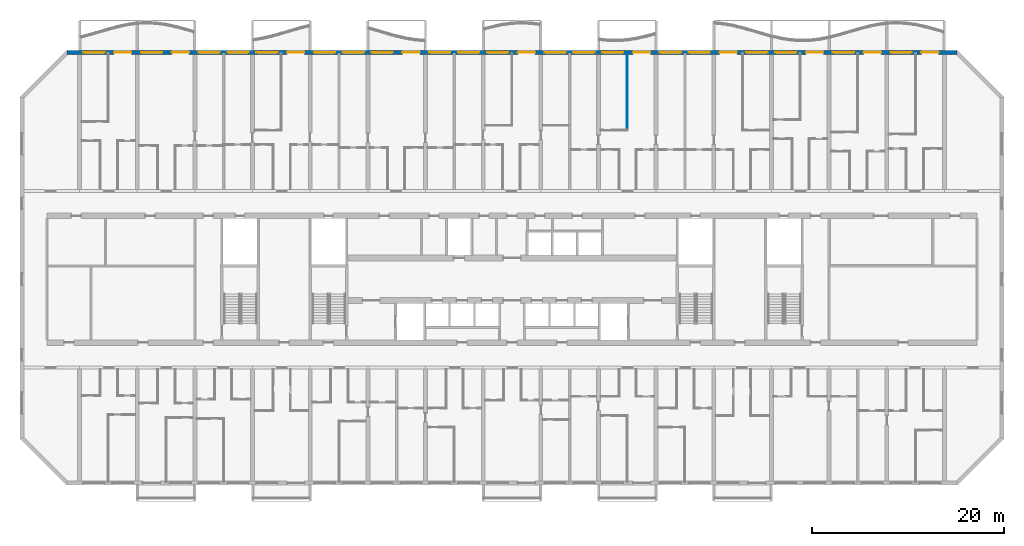
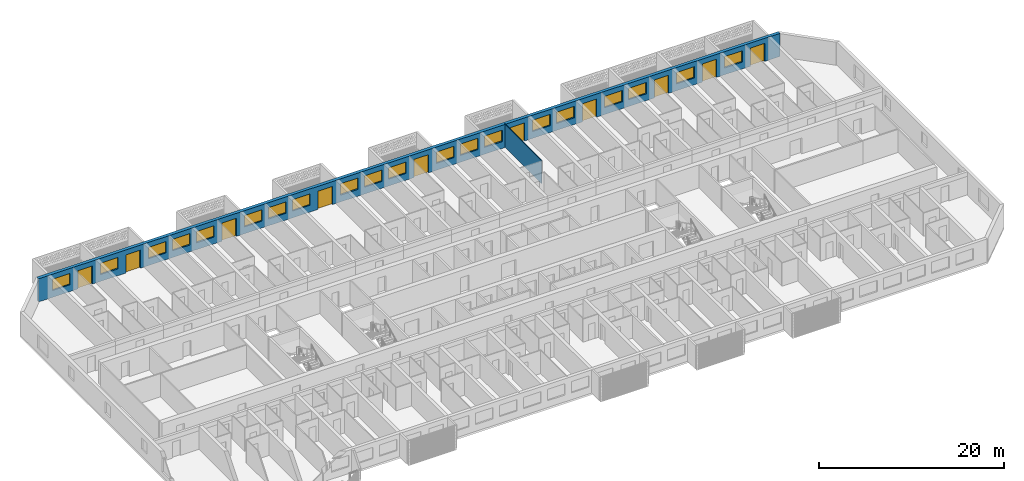
# One storey, part 13 of 40: 20 windows, 10 doors, 2 walls, 30 openings.
"""IFC4 building model written with IfcOpenShell, lengths in metres."""

import ifcopenshell
import ifcopenshell.guid

model = None  # the IFC model being written
_history = None  # IfcOwnerHistory: only IFC2X3 demands one
_inside = {}  # id of a spatial element -> (the spatial element, [elements in it])
_under = {}  # id of a project, library or spatial element -> (it, [spatial elements below it])
_declared = {}  # id of a project -> (the project, [libraries it declares])
_typed = {}  # id of a type object -> (the type object, [elements of that type])
_made_of = {}  # id of a material, layer set ... -> (it, [elements and type objects made of it])


def new_model(schema):
    """Start an empty IFC model of exactly this schema.

    Asked for "IFC4X3", IfcOpenShell would pick the latest addendum, in which some entities
    have other attributes; the version numbers below select the first issue.
    IFC2X3 requires an IfcOwnerHistory on every rooted entity: one is made here for all.
    """
    global model, _history
    if schema == "IFC4X3":
        model = ifcopenshell.file(schema_version=(4, 3, 0, 0))
    else:
        model = ifcopenshell.file(schema=schema)
    _inside.clear()
    _under.clear()
    _declared.clear()
    _typed.clear()
    _made_of.clear()
    _history = None
    if model.schema == "IFC2X3":
        org = make("IfcOrganization", Name="unknown")
        user = make(
            "IfcPersonAndOrganization",
            ThePerson=make("IfcPerson", FamilyName="unknown"),
            TheOrganization=org,
        )
        app = make(
            "IfcApplication",
            ApplicationDeveloper=org,
            Version="unknown",
            ApplicationFullName="unknown",
            ApplicationIdentifier="unknown",
        )
        _history = make(
            "IfcOwnerHistory",
            OwningUser=user,
            OwningApplication=app,
            ChangeAction="ADDED",
            CreationDate=0,
        )
    return model


def make(cls, **values):
    """One entity of the class cls with the attributes given. An attribute that is None is left unset."""
    return model.create_entity(
        cls, **{name: value for name, value in values.items() if value is not None}
    )


def rooted(cls, **values):
    """An entity with a GlobalId (a new one), such as an element, a storey or a relation."""
    return make(cls, GlobalId=ifcopenshell.guid.new(), OwnerHistory=_history, **values)


def si_unit(unit_type, name, prefix=None):
    """IfcSIUnit, for example si_unit("LENGTHUNIT", "METRE", prefix="MILLI")."""
    return make("IfcSIUnit", UnitType=unit_type, Prefix=prefix, Name=name)


def assignment(units):
    """IfcUnitAssignment: the units of a project."""
    return None if units is None else make("IfcUnitAssignment", Units=units)


def point(xyz):
    """IfcCartesianPoint."""
    return None if xyz is None else make("IfcCartesianPoint", Coordinates=xyz)


def direction(xyz):
    """IfcDirection."""
    return None if xyz is None else make("IfcDirection", DirectionRatios=xyz)


def frame(location, z_axis=None, x_axis=None):
    """IfcAxis2Placement3D, a coordinate frame: its origin and axes. An axis left out is left unset."""
    return make(
        "IfcAxis2Placement3D",
        Location=point(location),
        Axis=direction(z_axis),
        RefDirection=direction(x_axis),
    )


def frame_2d(location, x_axis=None):
    """IfcAxis2Placement2D, a coordinate frame in the plane: its origin and x axis."""
    return make(
        "IfcAxis2Placement2D", Location=point(location), RefDirection=direction(x_axis)
    )


def origin():
    """The frame at (0, 0, 0) with its axes left unset."""
    return frame((0.0, 0.0, 0.0))


def place(relative_to, where):
    """IfcLocalPlacement: puts the frame where relative to a parent placement (None: the world)."""
    return make(
        "IfcLocalPlacement", PlacementRelTo=relative_to, RelativePlacement=where
    )


def context(
    kind, dimensions, precision=None, world=None, true_north=None, identifier=None
):
    """IfcGeometricRepresentationContext, for example the 3D "Model" context."""
    return make(
        "IfcGeometricRepresentationContext",
        ContextIdentifier=identifier,
        ContextType=kind,
        CoordinateSpaceDimension=dimensions,
        Precision=precision,
        WorldCoordinateSystem=world,
        TrueNorth=true_north,
    )


def subcontext(parent, identifier, kind, view, scale=None):
    """IfcGeometricRepresentationSubContext, for example "Body" below "Model"."""
    return make(
        "IfcGeometricRepresentationSubContext",
        ContextIdentifier=identifier,
        ContextType=kind,
        ParentContext=parent,
        TargetScale=scale,
        TargetView=view,
    )


def project(units=None, contexts=None):
    """IfcProject with its units and contexts."""
    return rooted(
        "IfcProject",
        Name="project",
        RepresentationContexts=contexts,
        UnitsInContext=assignment(units),
    )


def spatial(cls, under=None, at=None, **own):
    """A site, building, storey or space (cls), placed at a placement, below another one or the project."""
    s = rooted(cls, ObjectPlacement=at, **own)
    if under is not None:
        _under.setdefault(under.id(), (under, []))[1].append(s)
    return s


def profile(cls, at=None, kind="AREA", **sizes):
    """A parametric profile (cls). Its sizes go by their IFC names, for example OverallWidth=200.0."""
    return make(cls, ProfileType=kind, Position=at, **sizes)


def rectangle(**sizes):
    """IfcRectangleProfileDef."""
    return profile("IfcRectangleProfileDef", **sizes)


def extrude(swept, where, along, depth):
    """IfcExtrudedAreaSolid: the profile swept, set in the frame where, extruded along a direction by depth."""
    return make(
        "IfcExtrudedAreaSolid",
        SweptArea=swept,
        Position=where,
        ExtrudedDirection=direction(along),
        Depth=depth,
    )


def shape(context_of_items, identifier, shape_type, items):
    """IfcShapeRepresentation: the items that make up one representation, for example the "Body"."""
    return make(
        "IfcShapeRepresentation",
        ContextOfItems=context_of_items,
        RepresentationIdentifier=identifier,
        RepresentationType=shape_type,
        Items=items,
    )


def material(Name=None, Category=None):
    """IfcMaterial."""
    return make("IfcMaterial", Name=Name, Category=Category)


def layer(
    of_material, thickness, ventilated=None, Name=None, Category=None, Priority=None
):
    """IfcMaterialLayer: one layer of a wall or slab, of a material (None: an air gap)."""
    return make(
        "IfcMaterialLayer",
        Material=of_material,
        LayerThickness=thickness,
        IsVentilated=ventilated,
        Name=Name,
        Category=Category,
        Priority=Priority,
    )


def layer_set(layers, Name=None):
    """IfcMaterialLayerSet."""
    return make("IfcMaterialLayerSet", MaterialLayers=layers, LayerSetName=Name)


def made_of(thing, what):
    """Note that an element or type object is made of a material, layer set ...; save() writes the relation."""
    if what is not None:
        _made_of.setdefault(what.id(), (what, []))[1].append(thing)
    return thing


def type_object(cls, material=None, **own):
    """A type object (cls), such as IfcWallType, which elements share."""
    return made_of(rooted(cls, **own), material)


def element(
    cls,
    number,
    at=None,
    inside=None,
    cuts=None,
    type_object=None,
    material=None,
    context=None,
    identifier="Body",
    shape_type=None,
    held_by="IfcProductDefinitionShape",
    body=None,
    shapes=None,
    **own,
):
    """One element of the class cls, such as IfcWall. Its Tag is "e" and its number.

    at: its placement. inside: the storey or other place that contains it. cuts: it is an
    opening in that element (IfcRelVoidsElement). A single representation is given by context,
    identifier, shape_type and body (its items); several are given by shapes. held_by: the class
    of the entity that holds the representations. save() writes the other relations.
    """
    e = rooted(cls, Tag="e%d" % number, ObjectPlacement=at, **own)
    if body is not None:
        shapes = [shape(context, identifier, shape_type, body)]
    if shapes is not None:
        e.Representation = make(held_by, Representations=shapes)
    if inside is not None:
        _inside.setdefault(inside.id(), (inside, []))[1].append(e)
    if cuts is not None:
        rooted(
            "IfcRelVoidsElement", RelatingBuildingElement=cuts, RelatedOpeningElement=e
        )
    if type_object is not None:
        _typed.setdefault(type_object.id(), (type_object, []))[1].append(e)
    return made_of(e, material)


def fill(opening, filler):
    """IfcRelFillsElement: the door or window that sits in an opening."""
    return rooted(
        "IfcRelFillsElement",
        RelatingOpeningElement=opening,
        RelatedBuildingElement=filler,
    )


def aggregate(whole, parts):
    """IfcRelAggregates: a whole, such as a stair, and the parts it consists of."""
    return rooted("IfcRelAggregates", RelatingObject=whole, RelatedObjects=parts)


def save(model, path):
    """Write the relations noted so far, then the file.

    IfcRelAggregates (storeys below a building ...), IfcRelContainedInSpatialStructure (elements
    in a storey), IfcRelDefinesByType, IfcRelAssociatesMaterial and IfcRelDeclares: one each for
    every whole, place, type object, material and project.
    """
    for whole, parts in _under.values():
        aggregate(whole, parts)
    for where, things in _inside.values():
        rooted(
            "IfcRelContainedInSpatialStructure",
            RelatedElements=things,
            RelatingStructure=where,
        )
    for kind, things in _typed.values():
        rooted("IfcRelDefinesByType", RelatedObjects=things, RelatingType=kind)
    for what, things in _made_of.values():
        rooted("IfcRelAssociatesMaterial", RelatedObjects=things, RelatingMaterial=what)
    for by, libraries in _declared.values():
        rooted("IfcRelDeclares", RelatingContext=by, RelatedDefinitions=libraries)
    model.write(path)


model = new_model("IFC4")

# Units and contexts
model_context = context("Model", 3, precision=1e-05, world=origin(), true_north=direction((0.0, 1.0)))
body_context = subcontext(model_context, "Body", "Model", "MODEL_VIEW")
ifc_project = project(units=[si_unit("LENGTHUNIT", "METRE"), si_unit("AREAUNIT", "SQUARE_METRE"), si_unit("VOLUMEUNIT", "CUBIC_METRE"), si_unit("PLANEANGLEUNIT", "RADIAN"), si_unit("MASSUNIT", "GRAM", prefix="KILO")], contexts=[model_context])

# Site, building, storey
site_placement = place(None, origin())
site = spatial("IfcSite", under=ifc_project, at=site_placement, CompositionType="ELEMENT")
building_placement = place(site_placement, origin())
building = spatial("IfcBuilding", under=site, at=building_placement, Name="Poui Terraces", CompositionType="ELEMENT")
storey_placement = place(building_placement, frame((0.0, 0.0, 33.300048828125)))
storey = spatial("IfcBuildingStorey", under=building, at=storey_placement, Name="L08", CompositionType="ELEMENT", Elevation=33.300048828125)

# Wall, openings, doors, windows
ifc_material_1 = material(Name="Precast concrete 40 MPa", Category="concrete")
ifc_layer_1 = layer(ifc_material_1, 0.39990234375)
ifc_layer_set_1 = layer_set([ifc_layer_1], Name="Precast concrete 40 MPa")
wall_type_1 = type_object("IfcWallType", Name="EXTERNAL WALL 400", PredefinedType="STANDARD", material=ifc_layer_set_1)
wall_1_placement = place(storey_placement, frame((97.317138671875, 44.800048828125, 0.0), z_axis=(0.0, 0.0, 1.0), x_axis=(-1.0, 0.0, 0.0)))
wall_1 = element("IfcWall", 1, at=wall_1_placement, inside=storey, type_object=wall_type_1, Name="EXTERNAL WALL N", PredefinedType="STANDARD", context=body_context, shape_type="SweptSolid", body=[
    extrude(rectangle(XDim=92.63427734375, YDim=0.39990234375, at=frame_2d((46.317138671875, 0.0))), origin(), (0.0, 0.0, 1.0), 3.050048828125),
])
opening_1_placement = place(wall_1_placement, frame((88.71728515625, 0.0, 0.89990234375)))
opening_1 = element("IfcOpeningElement", 2, at=opening_1_placement, cuts=wall_1, Name="Opening W1", PredefinedType="OPENING", context=body_context, shape_type="SweptSolid", body=[
    extrude(rectangle(XDim=2.199951171875, YDim=1.5, at=frame_2d((1.10009765625, 0.75))), frame((0.0, 0.2099609375, 0.0), z_axis=(0.0, -1.0, 0.0), x_axis=(1.0, 0.0, 0.0)), (0.0, 0.0, 1.0), 0.419921875),
])
opening_2_placement = place(wall_1_placement, frame((85.917236328125, 0.0, 0.0)))
opening_2 = element("IfcOpeningElement", 3, at=opening_2_placement, cuts=wall_1, Name="Opening BD1", PredefinedType="OPENING", context=body_context, shape_type="SweptSolid", body=[
    extrude(rectangle(XDim=1.800048828125, YDim=2.39990234375, at=frame_2d((0.89990234375, 1.199951171875))), frame((0.0, 0.2099609375, 0.0), z_axis=(0.0, -1.0, 0.0), x_axis=(1.0, 0.0, 0.0)), (0.0, 0.0, 1.0), 0.419921875),
])
opening_3_placement = place(wall_1_placement, frame((82.71728515625, 0.0, 0.89990234375)))
opening_3 = element("IfcOpeningElement", 4, at=opening_3_placement, cuts=wall_1, Name="Opening W1", PredefinedType="OPENING", context=body_context, shape_type="SweptSolid", body=[
    extrude(rectangle(XDim=2.199951171875, YDim=1.5, at=frame_2d((1.10009765625, 0.75))), frame((0.0, 0.2099609375, 0.0), z_axis=(0.0, -1.0, 0.0), x_axis=(1.0, 0.0, 0.0)), (0.0, 0.0, 1.0), 0.419921875),
])
opening_4_placement = place(wall_1_placement, frame((79.917236328125, 0.0, 0.0)))
opening_4 = element("IfcOpeningElement", 5, at=opening_4_placement, cuts=wall_1, Name="Opening BD1", PredefinedType="OPENING", context=body_context, shape_type="SweptSolid", body=[
    extrude(rectangle(XDim=1.800048828125, YDim=2.39990234375, at=frame_2d((0.89990234375, 1.199951171875))), frame((0.0, 0.2099609375, 0.0), z_axis=(0.0, -1.0, 0.0), x_axis=(1.0, 0.0, 0.0)), (0.0, 0.0, 1.0), 0.419921875),
])
opening_5_placement = place(wall_1_placement, frame((76.71728515625, 0.0, 0.89990234375)))
opening_5 = element("IfcOpeningElement", 6, at=opening_5_placement, cuts=wall_1, Name="Opening W1", PredefinedType="OPENING", context=body_context, shape_type="SweptSolid", body=[
    extrude(rectangle(XDim=2.199951171875, YDim=1.5, at=frame_2d((1.10009765625, 0.75))), frame((0.0, 0.2099609375, 0.0), z_axis=(0.0, -1.0, 0.0), x_axis=(1.0, 0.0, 0.0)), (0.0, 0.0, 1.0), 0.419921875),
])
opening_6_placement = place(wall_1_placement, frame((73.71728515625, 0.0, 0.89990234375)))
opening_6 = element("IfcOpeningElement", 7, at=opening_6_placement, cuts=wall_1, Name="Opening W1", PredefinedType="OPENING", context=body_context, shape_type="SweptSolid", body=[
    extrude(rectangle(XDim=2.199951171875, YDim=1.5, at=frame_2d((1.10009765625, 0.75))), frame((0.0, 0.2099609375, 0.0), z_axis=(0.0, -1.0, 0.0), x_axis=(1.0, 0.0, 0.0)), (0.0, 0.0, 1.0), 0.419921875),
])
opening_7_placement = place(wall_1_placement, frame((70.71728515625, 0.0, 0.89990234375)))
opening_7 = element("IfcOpeningElement", 8, at=opening_7_placement, cuts=wall_1, Name="Opening W1", PredefinedType="OPENING", context=body_context, shape_type="SweptSolid", body=[
    extrude(rectangle(XDim=2.199951171875, YDim=1.5, at=frame_2d((1.10009765625, 0.75))), frame((0.0, 0.2099609375, 0.0), z_axis=(0.0, -1.0, 0.0), x_axis=(1.0, 0.0, 0.0)), (0.0, 0.0, 1.0), 0.419921875),
])
opening_8_placement = place(wall_1_placement, frame((67.917236328125, 0.0, 0.0)))
opening_8 = element("IfcOpeningElement", 9, at=opening_8_placement, cuts=wall_1, Name="Opening BD1", PredefinedType="OPENING", context=body_context, shape_type="SweptSolid", body=[
    extrude(rectangle(XDim=1.800048828125, YDim=2.39990234375, at=frame_2d((0.89990234375, 1.199951171875))), frame((0.0, 0.2099609375, 0.0), z_axis=(0.0, -1.0, 0.0), x_axis=(1.0, 0.0, 0.0)), (0.0, 0.0, 1.0), 0.419921875),
])
opening_9_placement = place(wall_1_placement, frame((64.71728515625, 0.0, 0.89990234375)))
opening_9 = element("IfcOpeningElement", 10, at=opening_9_placement, cuts=wall_1, Name="Opening W1", PredefinedType="OPENING", context=body_context, shape_type="SweptSolid", body=[
    extrude(rectangle(XDim=2.199951171875, YDim=1.5, at=frame_2d((1.10009765625, 0.75))), frame((0.0, 0.2099609375, 0.0), z_axis=(0.0, -1.0, 0.0), x_axis=(1.0, 0.0, 0.0)), (0.0, 0.0, 1.0), 0.419921875),
])
opening_10_placement = place(wall_1_placement, frame((61.71728515625, 0.0, 0.89990234375)))
opening_10 = element("IfcOpeningElement", 11, at=opening_10_placement, cuts=wall_1, Name="Opening W1", PredefinedType="OPENING", context=body_context, shape_type="SweptSolid", body=[
    extrude(rectangle(XDim=2.199951171875, YDim=1.5, at=frame_2d((1.10009765625, 0.75))), frame((0.0, 0.2099609375, 0.0), z_axis=(0.0, -1.0, 0.0), x_axis=(1.0, 0.0, 0.0)), (0.0, 0.0, 1.0), 0.419921875),
])
opening_11_placement = place(wall_1_placement, frame((58.71728515625, 0.0, 0.89990234375)))
opening_11 = element("IfcOpeningElement", 12, at=opening_11_placement, cuts=wall_1, Name="Opening W1", PredefinedType="OPENING", context=body_context, shape_type="SweptSolid", body=[
    extrude(rectangle(XDim=2.199951171875, YDim=1.5, at=frame_2d((1.10009765625, 0.75))), frame((0.0, 0.2099609375, 0.0), z_axis=(0.0, -1.0, 0.0), x_axis=(1.0, 0.0, 0.0)), (0.0, 0.0, 1.0), 0.419921875),
])
opening_12_placement = place(wall_1_placement, frame((55.917236328125, 0.0, 0.0)))
opening_12 = element("IfcOpeningElement", 13, at=opening_12_placement, cuts=wall_1, Name="Opening BD1", PredefinedType="OPENING", context=body_context, shape_type="SweptSolid", body=[
    extrude(rectangle(XDim=1.800048828125, YDim=2.39990234375, at=frame_2d((0.89990234375, 1.199951171875))), frame((0.0, 0.2099609375, 0.0), z_axis=(0.0, -1.0, 0.0), x_axis=(1.0, 0.0, 0.0)), (0.0, 0.0, 1.0), 0.419921875),
])
opening_13_placement = place(wall_1_placement, frame((52.71728515625, 0.0, 0.89990234375)))
opening_13 = element("IfcOpeningElement", 14, at=opening_13_placement, cuts=wall_1, Name="Opening W1", PredefinedType="OPENING", context=body_context, shape_type="SweptSolid", body=[
    extrude(rectangle(XDim=2.199951171875, YDim=1.5, at=frame_2d((1.10009765625, 0.75))), frame((0.0, 0.2099609375, 0.0), z_axis=(0.0, -1.0, 0.0), x_axis=(1.0, 0.0, 0.0)), (0.0, 0.0, 1.0), 0.419921875),
])
opening_14_placement = place(wall_1_placement, frame((49.71728515625, 0.0, 0.89990234375)))
opening_14 = element("IfcOpeningElement", 15, at=opening_14_placement, cuts=wall_1, Name="Opening W1", PredefinedType="OPENING", context=body_context, shape_type="SweptSolid", body=[
    extrude(rectangle(XDim=2.199951171875, YDim=1.5, at=frame_2d((1.10009765625, 0.75))), frame((0.0, 0.2099609375, 0.0), z_axis=(0.0, -1.0, 0.0), x_axis=(1.0, 0.0, 0.0)), (0.0, 0.0, 1.0), 0.419921875),
])
opening_15_placement = place(wall_1_placement, frame((46.71728515625, 0.0, 0.89990234375)))
opening_15 = element("IfcOpeningElement", 16, at=opening_15_placement, cuts=wall_1, Name="Opening W1", PredefinedType="OPENING", context=body_context, shape_type="SweptSolid", body=[
    extrude(rectangle(XDim=2.199951171875, YDim=1.5, at=frame_2d((1.10009765625, 0.75))), frame((0.0, 0.2099609375, 0.0), z_axis=(0.0, -1.0, 0.0), x_axis=(1.0, 0.0, 0.0)), (0.0, 0.0, 1.0), 0.419921875),
])
opening_16_placement = place(wall_1_placement, frame((43.917236328125, 0.0, 0.0)))
opening_16 = element("IfcOpeningElement", 17, at=opening_16_placement, cuts=wall_1, Name="Opening BD1", PredefinedType="OPENING", context=body_context, shape_type="SweptSolid", body=[
    extrude(rectangle(XDim=1.800048828125, YDim=2.39990234375, at=frame_2d((0.89990234375, 1.199951171875))), frame((0.0, 0.2099609375, 0.0), z_axis=(0.0, -1.0, 0.0), x_axis=(1.0, 0.0, 0.0)), (0.0, 0.0, 1.0), 0.419921875),
])
opening_17_placement = place(wall_1_placement, frame((40.71728515625, 0.0, 0.89990234375)))
opening_17 = element("IfcOpeningElement", 18, at=opening_17_placement, cuts=wall_1, Name="Opening W1", PredefinedType="OPENING", context=body_context, shape_type="SweptSolid", body=[
    extrude(rectangle(XDim=2.199951171875, YDim=1.5, at=frame_2d((1.10009765625, 0.75))), frame((0.0, 0.2099609375, 0.0), z_axis=(0.0, -1.0, 0.0), x_axis=(1.0, 0.0, 0.0)), (0.0, 0.0, 1.0), 0.419921875),
])
opening_18_placement = place(wall_1_placement, frame((37.71728515625, 0.0, 0.89990234375)))
opening_18 = element("IfcOpeningElement", 19, at=opening_18_placement, cuts=wall_1, Name="Opening W1", PredefinedType="OPENING", context=body_context, shape_type="SweptSolid", body=[
    extrude(rectangle(XDim=2.199951171875, YDim=1.5, at=frame_2d((1.10009765625, 0.75))), frame((0.0, 0.2099609375, 0.0), z_axis=(0.0, -1.0, 0.0), x_axis=(1.0, 0.0, 0.0)), (0.0, 0.0, 1.0), 0.419921875),
])
opening_19_placement = place(wall_1_placement, frame((34.71728515625, 0.0, 0.89990234375)))
opening_19 = element("IfcOpeningElement", 20, at=opening_19_placement, cuts=wall_1, Name="Opening W1", PredefinedType="OPENING", context=body_context, shape_type="SweptSolid", body=[
    extrude(rectangle(XDim=2.199951171875, YDim=1.5, at=frame_2d((1.10009765625, 0.75))), frame((0.0, 0.2099609375, 0.0), z_axis=(0.0, -1.0, 0.0), x_axis=(1.0, 0.0, 0.0)), (0.0, 0.0, 1.0), 0.419921875),
])
opening_20_placement = place(wall_1_placement, frame((31.917236328125, 0.0, 0.0)))
opening_20 = element("IfcOpeningElement", 21, at=opening_20_placement, cuts=wall_1, Name="Opening BD1", PredefinedType="OPENING", context=body_context, shape_type="SweptSolid", body=[
    extrude(rectangle(XDim=1.800048828125, YDim=2.39990234375, at=frame_2d((0.89990234375, 1.199951171875))), frame((0.0, 0.2099609375, 0.0), z_axis=(0.0, -1.0, 0.0), x_axis=(1.0, 0.0, 0.0)), (0.0, 0.0, 1.0), 0.419921875),
])
opening_21_placement = place(wall_1_placement, frame((28.71728515625, 0.0, 0.89990234375)))
opening_21 = element("IfcOpeningElement", 22, at=opening_21_placement, cuts=wall_1, Name="Opening W1", PredefinedType="OPENING", context=body_context, shape_type="SweptSolid", body=[
    extrude(rectangle(XDim=2.199951171875, YDim=1.5, at=frame_2d((1.10009765625, 0.75))), frame((0.0, 0.2099609375, 0.0), z_axis=(0.0, -1.0, 0.0), x_axis=(1.0, 0.0, 0.0)), (0.0, 0.0, 1.0), 0.419921875),
])
opening_22_placement = place(wall_1_placement, frame((25.71728515625, 0.0, 0.89990234375)))
opening_22 = element("IfcOpeningElement", 23, at=opening_22_placement, cuts=wall_1, Name="Opening W1", PredefinedType="OPENING", context=body_context, shape_type="SweptSolid", body=[
    extrude(rectangle(XDim=2.199951171875, YDim=1.5, at=frame_2d((1.10009765625, 0.75))), frame((0.0, 0.2099609375, 0.0), z_axis=(0.0, -1.0, 0.0), x_axis=(1.0, 0.0, 0.0)), (0.0, 0.0, 1.0), 0.419921875),
])
opening_23_placement = place(wall_1_placement, frame((22.917236328125, 0.0, 0.0)))
opening_23 = element("IfcOpeningElement", 24, at=opening_23_placement, cuts=wall_1, Name="Opening BD1", PredefinedType="OPENING", context=body_context, shape_type="SweptSolid", body=[
    extrude(rectangle(XDim=1.800048828125, YDim=2.39990234375, at=frame_2d((0.89990234375, 1.199951171875))), frame((0.0, 0.2099609375, 0.0), z_axis=(0.0, -1.0, 0.0), x_axis=(1.0, 0.0, 0.0)), (0.0, 0.0, 1.0), 0.419921875),
])
opening_24_placement = place(wall_1_placement, frame((19.71728515625, 0.0, 0.89990234375)))
opening_24 = element("IfcOpeningElement", 25, at=opening_24_placement, cuts=wall_1, Name="Opening W1", PredefinedType="OPENING", context=body_context, shape_type="SweptSolid", body=[
    extrude(rectangle(XDim=2.199951171875, YDim=1.5, at=frame_2d((1.10009765625, 0.75))), frame((0.0, 0.2099609375, 0.0), z_axis=(0.0, -1.0, 0.0), x_axis=(1.0, 0.0, 0.0)), (0.0, 0.0, 1.0), 0.419921875),
])
opening_25_placement = place(wall_1_placement, frame((16.71728515625, 0.0, 0.89990234375)))
opening_25 = element("IfcOpeningElement", 26, at=opening_25_placement, cuts=wall_1, Name="Opening W1", PredefinedType="OPENING", context=body_context, shape_type="SweptSolid", body=[
    extrude(rectangle(XDim=2.199951171875, YDim=1.5, at=frame_2d((1.10009765625, 0.75))), frame((0.0, 0.2099609375, 0.0), z_axis=(0.0, -1.0, 0.0), x_axis=(1.0, 0.0, 0.0)), (0.0, 0.0, 1.0), 0.419921875),
])
opening_26_placement = place(wall_1_placement, frame((13.917236328125, 0.0, 0.0)))
opening_26 = element("IfcOpeningElement", 27, at=opening_26_placement, cuts=wall_1, Name="Opening BD1", PredefinedType="OPENING", context=body_context, shape_type="SweptSolid", body=[
    extrude(rectangle(XDim=1.800048828125, YDim=2.39990234375, at=frame_2d((0.89990234375, 1.199951171875))), frame((0.0, 0.2099609375, 0.0), z_axis=(0.0, -1.0, 0.0), x_axis=(1.0, 0.0, 0.0)), (0.0, 0.0, 1.0), 0.419921875),
])
opening_27_placement = place(wall_1_placement, frame((10.71728515625, 0.0, 0.89990234375)))
opening_27 = element("IfcOpeningElement", 28, at=opening_27_placement, cuts=wall_1, Name="Opening W1", PredefinedType="OPENING", context=body_context, shape_type="SweptSolid", body=[
    extrude(rectangle(XDim=2.199951171875, YDim=1.5, at=frame_2d((1.10009765625, 0.75))), frame((0.0, 0.2099609375, 0.0), z_axis=(0.0, -1.0, 0.0), x_axis=(1.0, 0.0, 0.0)), (0.0, 0.0, 1.0), 0.419921875),
])
opening_28_placement = place(wall_1_placement, frame((7.917236328125, 0.0, 0.0)))
opening_28 = element("IfcOpeningElement", 29, at=opening_28_placement, cuts=wall_1, Name="Opening BD1", PredefinedType="OPENING", context=body_context, shape_type="SweptSolid", body=[
    extrude(rectangle(XDim=1.800048828125, YDim=2.39990234375, at=frame_2d((0.89990234375, 1.199951171875))), frame((0.0, 0.2099609375, 0.0), z_axis=(0.0, -1.0, 0.0), x_axis=(1.0, 0.0, 0.0)), (0.0, 0.0, 1.0), 0.419921875),
])
opening_29_placement = place(wall_1_placement, frame((4.71728515625, 0.0, 0.89990234375)))
opening_29 = element("IfcOpeningElement", 30, at=opening_29_placement, cuts=wall_1, Name="Opening W1", PredefinedType="OPENING", context=body_context, shape_type="SweptSolid", body=[
    extrude(rectangle(XDim=2.199951171875, YDim=1.5, at=frame_2d((1.10009765625, 0.75))), frame((0.0, 0.2099609375, 0.0), z_axis=(0.0, -1.0, 0.0), x_axis=(1.0, 0.0, 0.0)), (0.0, 0.0, 1.0), 0.419921875),
])
opening_30_placement = place(wall_1_placement, frame((1.917236328125, 0.0, 0.0)))
opening_30 = element("IfcOpeningElement", 31, at=opening_30_placement, cuts=wall_1, Name="Opening BD1", PredefinedType="OPENING", context=body_context, shape_type="SweptSolid", body=[
    extrude(rectangle(XDim=1.800048828125, YDim=2.39990234375, at=frame_2d((0.89990234375, 1.199951171875))), frame((0.0, 0.2099609375, 0.0), z_axis=(0.0, -1.0, 0.0), x_axis=(1.0, 0.0, 0.0)), (0.0, 0.0, 1.0), 0.419921875),
])
ifc_material_2 = material(Name="Clear glass in aluminium frame", Category="aluminium")
door_type = type_object("IfcDoorType", Name="BALCONY DOOR 1800X2400", OperationType="DOUBLE_DOOR_SLIDING", PredefinedType="DOOR", material=ifc_material_2)
door_1_placement = place(opening_2_placement, origin())
door_1 = element("IfcDoor", 32, at=door_1_placement, inside=storey, type_object=door_type, Name="BD1 BALCONY DOOR", OperationType="DOUBLE_DOOR_SLIDING", OverallHeight=2.39990234375, OverallWidth=1.800048828125, PredefinedType="DOOR", context=body_context, shape_type="SweptSolid", body=[
    extrude(rectangle(XDim=1.800048828125, YDim=2.39990234375, at=frame_2d((0.89990234375, 1.199951171875))), frame((0.0, 0.02490234375, 0.0), z_axis=(0.0, -1.0, 0.0), x_axis=(1.0, 0.0, 0.0)), (0.0, 0.0, 1.0), 0.050048828125),
])
fill(opening_2, door_1)
door_2_placement = place(opening_4_placement, origin())
door_2 = element("IfcDoor", 33, at=door_2_placement, inside=storey, type_object=door_type, Name="BD1 BALCONY DOOR", OperationType="DOUBLE_DOOR_SLIDING", OverallHeight=2.39990234375, OverallWidth=1.800048828125, PredefinedType="DOOR", context=body_context, shape_type="SweptSolid", body=[
    extrude(rectangle(XDim=1.800048828125, YDim=2.39990234375, at=frame_2d((0.89990234375, 1.199951171875))), frame((0.0, 0.02490234375, 0.0), z_axis=(0.0, -1.0, 0.0), x_axis=(1.0, 0.0, 0.0)), (0.0, 0.0, 1.0), 0.050048828125),
])
fill(opening_4, door_2)
door_3_placement = place(opening_8_placement, origin())
door_3 = element("IfcDoor", 34, at=door_3_placement, inside=storey, type_object=door_type, Name="BD1 BALCONY DOOR", OperationType="DOUBLE_DOOR_SLIDING", OverallHeight=2.39990234375, OverallWidth=1.800048828125, PredefinedType="DOOR", context=body_context, shape_type="SweptSolid", body=[
    extrude(rectangle(XDim=1.800048828125, YDim=2.39990234375, at=frame_2d((0.89990234375, 1.199951171875))), frame((0.0, 0.02490234375, 0.0), z_axis=(0.0, -1.0, 0.0), x_axis=(1.0, 0.0, 0.0)), (0.0, 0.0, 1.0), 0.050048828125),
])
fill(opening_8, door_3)
door_4_placement = place(opening_12_placement, origin())
door_4 = element("IfcDoor", 35, at=door_4_placement, inside=storey, type_object=door_type, Name="BD1 BALCONY DOOR", OperationType="DOUBLE_DOOR_SLIDING", OverallHeight=2.39990234375, OverallWidth=1.800048828125, PredefinedType="DOOR", context=body_context, shape_type="SweptSolid", body=[
    extrude(rectangle(XDim=1.800048828125, YDim=2.39990234375, at=frame_2d((0.89990234375, 1.199951171875))), frame((0.0, 0.02490234375, 0.0), z_axis=(0.0, -1.0, 0.0), x_axis=(1.0, 0.0, 0.0)), (0.0, 0.0, 1.0), 0.050048828125),
])
fill(opening_12, door_4)
door_5_placement = place(opening_16_placement, origin())
door_5 = element("IfcDoor", 36, at=door_5_placement, inside=storey, type_object=door_type, Name="BD1 BALCONY DOOR", OperationType="DOUBLE_DOOR_SLIDING", OverallHeight=2.39990234375, OverallWidth=1.800048828125, PredefinedType="DOOR", context=body_context, shape_type="SweptSolid", body=[
    extrude(rectangle(XDim=1.800048828125, YDim=2.39990234375, at=frame_2d((0.89990234375, 1.199951171875))), frame((0.0, 0.02490234375, 0.0), z_axis=(0.0, -1.0, 0.0), x_axis=(1.0, 0.0, 0.0)), (0.0, 0.0, 1.0), 0.050048828125),
])
fill(opening_16, door_5)
door_6_placement = place(opening_20_placement, origin())
door_6 = element("IfcDoor", 37, at=door_6_placement, inside=storey, type_object=door_type, Name="BD1 BALCONY DOOR", OperationType="DOUBLE_DOOR_SLIDING", OverallHeight=2.39990234375, OverallWidth=1.800048828125, PredefinedType="DOOR", context=body_context, shape_type="SweptSolid", body=[
    extrude(rectangle(XDim=1.800048828125, YDim=2.39990234375, at=frame_2d((0.89990234375, 1.199951171875))), frame((0.0, 0.02490234375, 0.0), z_axis=(0.0, -1.0, 0.0), x_axis=(1.0, 0.0, 0.0)), (0.0, 0.0, 1.0), 0.050048828125),
])
fill(opening_20, door_6)
door_7_placement = place(opening_23_placement, origin())
door_7 = element("IfcDoor", 38, at=door_7_placement, inside=storey, type_object=door_type, Name="BD1 BALCONY DOOR", OperationType="DOUBLE_DOOR_SLIDING", OverallHeight=2.39990234375, OverallWidth=1.800048828125, PredefinedType="DOOR", context=body_context, shape_type="SweptSolid", body=[
    extrude(rectangle(XDim=1.800048828125, YDim=2.39990234375, at=frame_2d((0.89990234375, 1.199951171875))), frame((0.0, 0.02490234375, 0.0), z_axis=(0.0, -1.0, 0.0), x_axis=(1.0, 0.0, 0.0)), (0.0, 0.0, 1.0), 0.050048828125),
])
fill(opening_23, door_7)
door_8_placement = place(opening_26_placement, origin())
door_8 = element("IfcDoor", 39, at=door_8_placement, inside=storey, type_object=door_type, Name="BD1 BALCONY DOOR", OperationType="DOUBLE_DOOR_SLIDING", OverallHeight=2.39990234375, OverallWidth=1.800048828125, PredefinedType="DOOR", context=body_context, shape_type="SweptSolid", body=[
    extrude(rectangle(XDim=1.800048828125, YDim=2.39990234375, at=frame_2d((0.89990234375, 1.199951171875))), frame((0.0, 0.02490234375, 0.0), z_axis=(0.0, -1.0, 0.0), x_axis=(1.0, 0.0, 0.0)), (0.0, 0.0, 1.0), 0.050048828125),
])
fill(opening_26, door_8)
door_9_placement = place(opening_28_placement, origin())
door_9 = element("IfcDoor", 40, at=door_9_placement, inside=storey, type_object=door_type, Name="BD1 BALCONY DOOR", OperationType="DOUBLE_DOOR_SLIDING", OverallHeight=2.39990234375, OverallWidth=1.800048828125, PredefinedType="DOOR", context=body_context, shape_type="SweptSolid", body=[
    extrude(rectangle(XDim=1.800048828125, YDim=2.39990234375, at=frame_2d((0.89990234375, 1.199951171875))), frame((0.0, 0.02490234375, 0.0), z_axis=(0.0, -1.0, 0.0), x_axis=(1.0, 0.0, 0.0)), (0.0, 0.0, 1.0), 0.050048828125),
])
fill(opening_28, door_9)
door_10_placement = place(opening_30_placement, origin())
door_10 = element("IfcDoor", 41, at=door_10_placement, inside=storey, type_object=door_type, Name="BD1 BALCONY DOOR", OperationType="DOUBLE_DOOR_SLIDING", OverallHeight=2.39990234375, OverallWidth=1.800048828125, PredefinedType="DOOR", context=body_context, shape_type="SweptSolid", body=[
    extrude(rectangle(XDim=1.800048828125, YDim=2.39990234375, at=frame_2d((0.89990234375, 1.199951171875))), frame((0.0, 0.02490234375, 0.0), z_axis=(0.0, -1.0, 0.0), x_axis=(1.0, 0.0, 0.0)), (0.0, 0.0, 1.0), 0.050048828125),
])
fill(opening_30, door_10)
window_type = type_object("IfcWindowType", Name="WINDOW 2200X1500", PartitioningType="DOUBLE_PANEL_HORIZONTAL", PredefinedType="WINDOW", material=ifc_material_2)
window_1_placement = place(opening_1_placement, origin())
window_1 = element("IfcWindow", 42, at=window_1_placement, inside=storey, type_object=window_type, Name="W1 WINDOW", OverallHeight=1.5, OverallWidth=2.199951171875, PartitioningType="DOUBLE_PANEL_HORIZONTAL", PredefinedType="WINDOW", context=body_context, shape_type="SweptSolid", body=[
    extrude(rectangle(XDim=2.199951171875, YDim=1.5, at=frame_2d((1.10009765625, 0.75))), frame((0.0, 0.030029296875, 0.0), z_axis=(0.0, -1.0, 0.0), x_axis=(1.0, 0.0, 0.0)), (0.0, 0.0, 1.0), 0.06005859375),
])
fill(opening_1, window_1)
window_2_placement = place(opening_3_placement, origin())
window_2 = element("IfcWindow", 43, at=window_2_placement, inside=storey, type_object=window_type, Name="W1 WINDOW", OverallHeight=1.5, OverallWidth=2.199951171875, PartitioningType="DOUBLE_PANEL_HORIZONTAL", PredefinedType="WINDOW", context=body_context, shape_type="SweptSolid", body=[
    extrude(rectangle(XDim=2.199951171875, YDim=1.5, at=frame_2d((1.10009765625, 0.75))), frame((0.0, 0.030029296875, 0.0), z_axis=(0.0, -1.0, 0.0), x_axis=(1.0, 0.0, 0.0)), (0.0, 0.0, 1.0), 0.06005859375),
])
fill(opening_3, window_2)
window_3_placement = place(opening_5_placement, origin())
window_3 = element("IfcWindow", 44, at=window_3_placement, inside=storey, type_object=window_type, Name="W1 WINDOW", OverallHeight=1.5, OverallWidth=2.199951171875, PartitioningType="DOUBLE_PANEL_HORIZONTAL", PredefinedType="WINDOW", context=body_context, shape_type="SweptSolid", body=[
    extrude(rectangle(XDim=2.199951171875, YDim=1.5, at=frame_2d((1.10009765625, 0.75))), frame((0.0, 0.030029296875, 0.0), z_axis=(0.0, -1.0, 0.0), x_axis=(1.0, 0.0, 0.0)), (0.0, 0.0, 1.0), 0.06005859375),
])
fill(opening_5, window_3)
window_4_placement = place(opening_6_placement, origin())
window_4 = element("IfcWindow", 45, at=window_4_placement, inside=storey, type_object=window_type, Name="W1 WINDOW", OverallHeight=1.5, OverallWidth=2.199951171875, PartitioningType="DOUBLE_PANEL_HORIZONTAL", PredefinedType="WINDOW", context=body_context, shape_type="SweptSolid", body=[
    extrude(rectangle(XDim=2.199951171875, YDim=1.5, at=frame_2d((1.10009765625, 0.75))), frame((0.0, 0.030029296875, 0.0), z_axis=(0.0, -1.0, 0.0), x_axis=(1.0, 0.0, 0.0)), (0.0, 0.0, 1.0), 0.06005859375),
])
fill(opening_6, window_4)
window_5_placement = place(opening_7_placement, origin())
window_5 = element("IfcWindow", 46, at=window_5_placement, inside=storey, type_object=window_type, Name="W1 WINDOW", OverallHeight=1.5, OverallWidth=2.199951171875, PartitioningType="DOUBLE_PANEL_HORIZONTAL", PredefinedType="WINDOW", context=body_context, shape_type="SweptSolid", body=[
    extrude(rectangle(XDim=2.199951171875, YDim=1.5, at=frame_2d((1.10009765625, 0.75))), frame((0.0, 0.030029296875, 0.0), z_axis=(0.0, -1.0, 0.0), x_axis=(1.0, 0.0, 0.0)), (0.0, 0.0, 1.0), 0.06005859375),
])
fill(opening_7, window_5)
window_6_placement = place(opening_9_placement, origin())
window_6 = element("IfcWindow", 47, at=window_6_placement, inside=storey, type_object=window_type, Name="W1 WINDOW", OverallHeight=1.5, OverallWidth=2.199951171875, PartitioningType="DOUBLE_PANEL_HORIZONTAL", PredefinedType="WINDOW", context=body_context, shape_type="SweptSolid", body=[
    extrude(rectangle(XDim=2.199951171875, YDim=1.5, at=frame_2d((1.10009765625, 0.75))), frame((0.0, 0.030029296875, 0.0), z_axis=(0.0, -1.0, 0.0), x_axis=(1.0, 0.0, 0.0)), (0.0, 0.0, 1.0), 0.06005859375),
])
fill(opening_9, window_6)
window_7_placement = place(opening_10_placement, origin())
window_7 = element("IfcWindow", 48, at=window_7_placement, inside=storey, type_object=window_type, Name="W1 WINDOW", OverallHeight=1.5, OverallWidth=2.199951171875, PartitioningType="DOUBLE_PANEL_HORIZONTAL", PredefinedType="WINDOW", context=body_context, shape_type="SweptSolid", body=[
    extrude(rectangle(XDim=2.199951171875, YDim=1.5, at=frame_2d((1.10009765625, 0.75))), frame((0.0, 0.030029296875, 0.0), z_axis=(0.0, -1.0, 0.0), x_axis=(1.0, 0.0, 0.0)), (0.0, 0.0, 1.0), 0.06005859375),
])
fill(opening_10, window_7)
window_8_placement = place(opening_11_placement, origin())
window_8 = element("IfcWindow", 49, at=window_8_placement, inside=storey, type_object=window_type, Name="W1 WINDOW", OverallHeight=1.5, OverallWidth=2.199951171875, PartitioningType="DOUBLE_PANEL_HORIZONTAL", PredefinedType="WINDOW", context=body_context, shape_type="SweptSolid", body=[
    extrude(rectangle(XDim=2.199951171875, YDim=1.5, at=frame_2d((1.10009765625, 0.75))), frame((0.0, 0.030029296875, 0.0), z_axis=(0.0, -1.0, 0.0), x_axis=(1.0, 0.0, 0.0)), (0.0, 0.0, 1.0), 0.06005859375),
])
fill(opening_11, window_8)
window_9_placement = place(opening_13_placement, origin())
window_9 = element("IfcWindow", 50, at=window_9_placement, inside=storey, type_object=window_type, Name="W1 WINDOW", OverallHeight=1.5, OverallWidth=2.199951171875, PartitioningType="DOUBLE_PANEL_HORIZONTAL", PredefinedType="WINDOW", context=body_context, shape_type="SweptSolid", body=[
    extrude(rectangle(XDim=2.199951171875, YDim=1.5, at=frame_2d((1.10009765625, 0.75))), frame((0.0, 0.030029296875, 0.0), z_axis=(0.0, -1.0, 0.0), x_axis=(1.0, 0.0, 0.0)), (0.0, 0.0, 1.0), 0.06005859375),
])
fill(opening_13, window_9)
window_10_placement = place(opening_14_placement, origin())
window_10 = element("IfcWindow", 51, at=window_10_placement, inside=storey, type_object=window_type, Name="W1 WINDOW", OverallHeight=1.5, OverallWidth=2.199951171875, PartitioningType="DOUBLE_PANEL_HORIZONTAL", PredefinedType="WINDOW", context=body_context, shape_type="SweptSolid", body=[
    extrude(rectangle(XDim=2.199951171875, YDim=1.5, at=frame_2d((1.10009765625, 0.75))), frame((0.0, 0.030029296875, 0.0), z_axis=(0.0, -1.0, 0.0), x_axis=(1.0, 0.0, 0.0)), (0.0, 0.0, 1.0), 0.06005859375),
])
fill(opening_14, window_10)
window_11_placement = place(opening_15_placement, origin())
window_11 = element("IfcWindow", 52, at=window_11_placement, inside=storey, type_object=window_type, Name="W1 WINDOW", OverallHeight=1.5, OverallWidth=2.199951171875, PartitioningType="DOUBLE_PANEL_HORIZONTAL", PredefinedType="WINDOW", context=body_context, shape_type="SweptSolid", body=[
    extrude(rectangle(XDim=2.199951171875, YDim=1.5, at=frame_2d((1.10009765625, 0.75))), frame((0.0, 0.030029296875, 0.0), z_axis=(0.0, -1.0, 0.0), x_axis=(1.0, 0.0, 0.0)), (0.0, 0.0, 1.0), 0.06005859375),
])
fill(opening_15, window_11)
window_12_placement = place(opening_17_placement, origin())
window_12 = element("IfcWindow", 53, at=window_12_placement, inside=storey, type_object=window_type, Name="W1 WINDOW", OverallHeight=1.5, OverallWidth=2.199951171875, PartitioningType="DOUBLE_PANEL_HORIZONTAL", PredefinedType="WINDOW", context=body_context, shape_type="SweptSolid", body=[
    extrude(rectangle(XDim=2.199951171875, YDim=1.5, at=frame_2d((1.10009765625, 0.75))), frame((0.0, 0.030029296875, 0.0), z_axis=(0.0, -1.0, 0.0), x_axis=(1.0, 0.0, 0.0)), (0.0, 0.0, 1.0), 0.06005859375),
])
fill(opening_17, window_12)
window_13_placement = place(opening_18_placement, origin())
window_13 = element("IfcWindow", 54, at=window_13_placement, inside=storey, type_object=window_type, Name="W1 WINDOW", OverallHeight=1.5, OverallWidth=2.199951171875, PartitioningType="DOUBLE_PANEL_HORIZONTAL", PredefinedType="WINDOW", context=body_context, shape_type="SweptSolid", body=[
    extrude(rectangle(XDim=2.199951171875, YDim=1.5, at=frame_2d((1.10009765625, 0.75))), frame((0.0, 0.030029296875, 0.0), z_axis=(0.0, -1.0, 0.0), x_axis=(1.0, 0.0, 0.0)), (0.0, 0.0, 1.0), 0.06005859375),
])
fill(opening_18, window_13)
window_14_placement = place(opening_19_placement, origin())
window_14 = element("IfcWindow", 55, at=window_14_placement, inside=storey, type_object=window_type, Name="W1 WINDOW", OverallHeight=1.5, OverallWidth=2.199951171875, PartitioningType="DOUBLE_PANEL_HORIZONTAL", PredefinedType="WINDOW", context=body_context, shape_type="SweptSolid", body=[
    extrude(rectangle(XDim=2.199951171875, YDim=1.5, at=frame_2d((1.10009765625, 0.75))), frame((0.0, 0.030029296875, 0.0), z_axis=(0.0, -1.0, 0.0), x_axis=(1.0, 0.0, 0.0)), (0.0, 0.0, 1.0), 0.06005859375),
])
fill(opening_19, window_14)
window_15_placement = place(opening_21_placement, origin())
window_15 = element("IfcWindow", 56, at=window_15_placement, inside=storey, type_object=window_type, Name="W1 WINDOW", OverallHeight=1.5, OverallWidth=2.199951171875, PartitioningType="DOUBLE_PANEL_HORIZONTAL", PredefinedType="WINDOW", context=body_context, shape_type="SweptSolid", body=[
    extrude(rectangle(XDim=2.199951171875, YDim=1.5, at=frame_2d((1.10009765625, 0.75))), frame((0.0, 0.030029296875, 0.0), z_axis=(0.0, -1.0, 0.0), x_axis=(1.0, 0.0, 0.0)), (0.0, 0.0, 1.0), 0.06005859375),
])
fill(opening_21, window_15)
window_16_placement = place(opening_22_placement, origin())
window_16 = element("IfcWindow", 57, at=window_16_placement, inside=storey, type_object=window_type, Name="W1 WINDOW", OverallHeight=1.5, OverallWidth=2.199951171875, PartitioningType="DOUBLE_PANEL_HORIZONTAL", PredefinedType="WINDOW", context=body_context, shape_type="SweptSolid", body=[
    extrude(rectangle(XDim=2.199951171875, YDim=1.5, at=frame_2d((1.10009765625, 0.75))), frame((0.0, 0.030029296875, 0.0), z_axis=(0.0, -1.0, 0.0), x_axis=(1.0, 0.0, 0.0)), (0.0, 0.0, 1.0), 0.06005859375),
])
fill(opening_22, window_16)
window_17_placement = place(opening_24_placement, origin())
window_17 = element("IfcWindow", 58, at=window_17_placement, inside=storey, type_object=window_type, Name="W1 WINDOW", OverallHeight=1.5, OverallWidth=2.199951171875, PartitioningType="DOUBLE_PANEL_HORIZONTAL", PredefinedType="WINDOW", context=body_context, shape_type="SweptSolid", body=[
    extrude(rectangle(XDim=2.199951171875, YDim=1.5, at=frame_2d((1.10009765625, 0.75))), frame((0.0, 0.030029296875, 0.0), z_axis=(0.0, -1.0, 0.0), x_axis=(1.0, 0.0, 0.0)), (0.0, 0.0, 1.0), 0.06005859375),
])
fill(opening_24, window_17)
window_18_placement = place(opening_25_placement, origin())
window_18 = element("IfcWindow", 59, at=window_18_placement, inside=storey, type_object=window_type, Name="W1 WINDOW", OverallHeight=1.5, OverallWidth=2.199951171875, PartitioningType="DOUBLE_PANEL_HORIZONTAL", PredefinedType="WINDOW", context=body_context, shape_type="SweptSolid", body=[
    extrude(rectangle(XDim=2.199951171875, YDim=1.5, at=frame_2d((1.10009765625, 0.75))), frame((0.0, 0.030029296875, 0.0), z_axis=(0.0, -1.0, 0.0), x_axis=(1.0, 0.0, 0.0)), (0.0, 0.0, 1.0), 0.06005859375),
])
fill(opening_25, window_18)
window_19_placement = place(opening_27_placement, origin())
window_19 = element("IfcWindow", 60, at=window_19_placement, inside=storey, type_object=window_type, Name="W1 WINDOW", OverallHeight=1.5, OverallWidth=2.199951171875, PartitioningType="DOUBLE_PANEL_HORIZONTAL", PredefinedType="WINDOW", context=body_context, shape_type="SweptSolid", body=[
    extrude(rectangle(XDim=2.199951171875, YDim=1.5, at=frame_2d((1.10009765625, 0.75))), frame((0.0, 0.030029296875, 0.0), z_axis=(0.0, -1.0, 0.0), x_axis=(1.0, 0.0, 0.0)), (0.0, 0.0, 1.0), 0.06005859375),
])
fill(opening_27, window_19)
window_20_placement = place(opening_29_placement, origin())
window_20 = element("IfcWindow", 61, at=window_20_placement, inside=storey, type_object=window_type, Name="W1 WINDOW", OverallHeight=1.5, OverallWidth=2.199951171875, PartitioningType="DOUBLE_PANEL_HORIZONTAL", PredefinedType="WINDOW", context=body_context, shape_type="SweptSolid", body=[
    extrude(rectangle(XDim=2.199951171875, YDim=1.5, at=frame_2d((1.10009765625, 0.75))), frame((0.0, 0.030029296875, 0.0), z_axis=(0.0, -1.0, 0.0), x_axis=(1.0, 0.0, 0.0)), (0.0, 0.0, 1.0), 0.06005859375),
])
fill(opening_29, window_20)

# Wall
ifc_material_3 = material(Name="Plasterboard partition")
ifc_layer_2 = layer(ifc_material_3, 0.10009765625)
ifc_layer_set_2 = layer_set([ifc_layer_2], Name="Plasterboard partition")
wall_type_2 = type_object("IfcWallType", Name="FLAT PARTITION 100", PredefinedType="PARTITIONING", material=ifc_layer_set_2)
wall_2_placement = place(storey_placement, frame((63.0, 36.75, 0.0), z_axis=(0.0, 0.0, 1.0), x_axis=(0.0, 1.0, 0.0)))
element("IfcWall", 62, at=wall_2_placement, inside=storey, type_object=wall_type_2, Name="FLAT PARTITION 100", PredefinedType="PARTITIONING", context=body_context, shape_type="SweptSolid", body=[
    extrude(rectangle(XDim=7.989990234375, YDim=0.10009765625, at=frame_2d((3.9951171875, 0.0))), origin(), (0.0, 0.0, 1.0), 3.050048828125),
])

save(model, "model.ifc")
